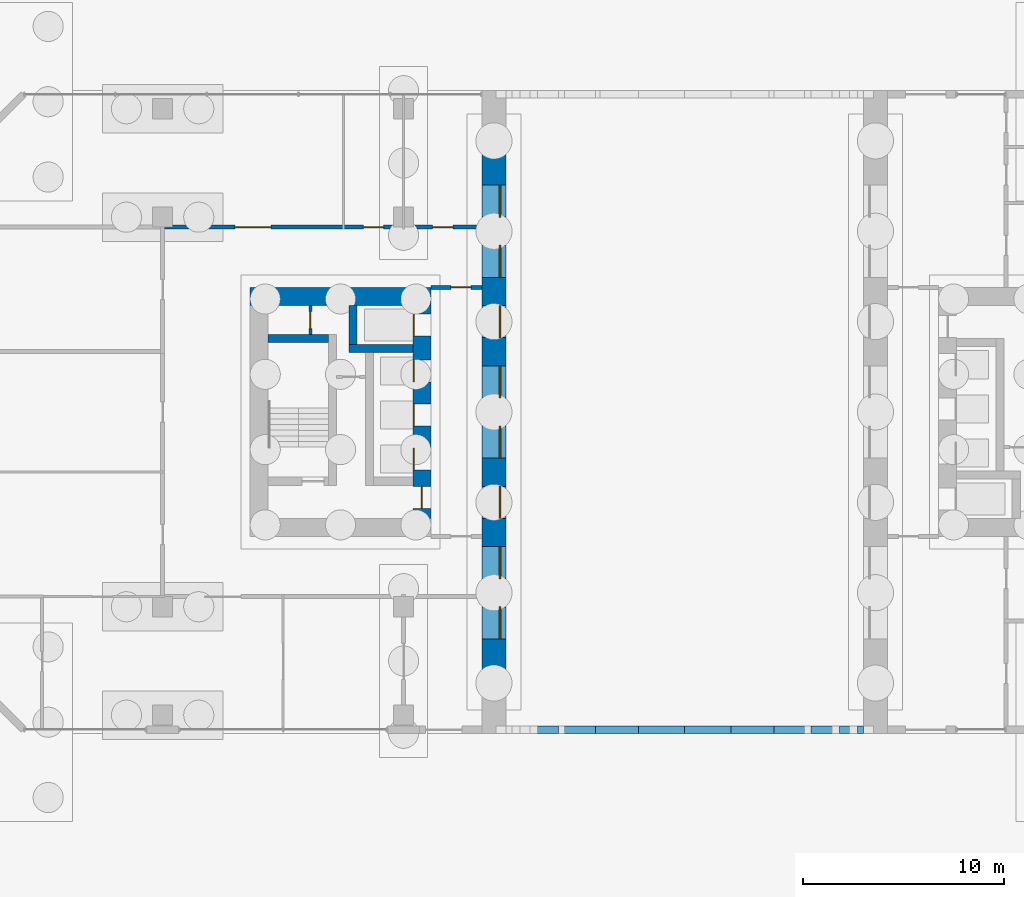
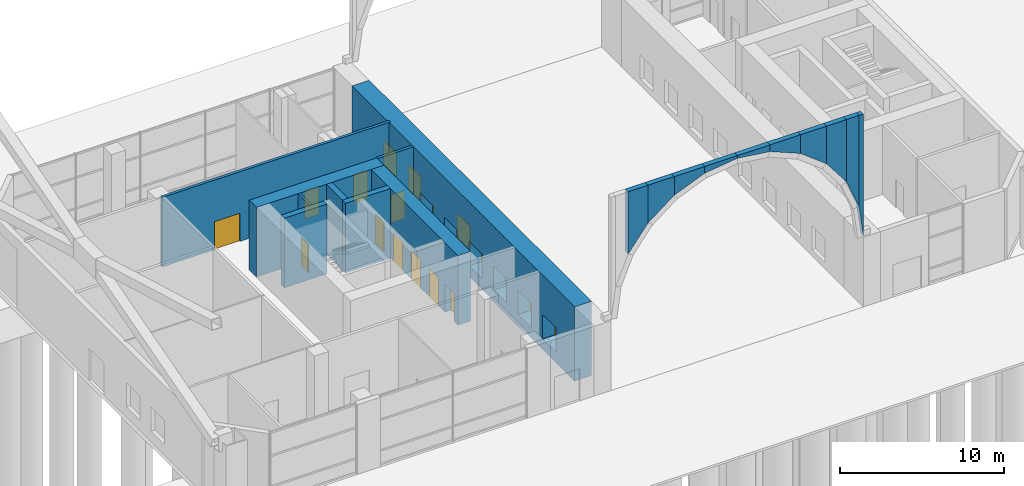
# One storey, part 14 of 26: 19 walls, 10 doors, 8 windows, 18 openings.
"""IFC4 building model written with IfcOpenShell, lengths in metres."""

from ifc_helpers import new_model, si_unit, direction, frame, frame_2d, origin, place, context, subcontext, project, spatial, polyline, rectangle, outline, extrude, material, layer, layer_set, type_object, element, fill, save


model = new_model("IFC4")

# Units and contexts
model_context = context("Model", 3, precision=1e-05, world=origin(), true_north=direction((0.0, 1.0)))
body_context = subcontext(model_context, "Body", "Model", "MODEL_VIEW")
ifc_project = project(units=[si_unit("LENGTHUNIT", "METRE"), si_unit("AREAUNIT", "SQUARE_METRE"), si_unit("VOLUMEUNIT", "CUBIC_METRE"), si_unit("PLANEANGLEUNIT", "RADIAN"), si_unit("MASSUNIT", "GRAM", prefix="KILO")], contexts=[model_context])

# Site, building, storey
site_placement = place(None, origin())
site = spatial("IfcSite", under=ifc_project, at=site_placement, CompositionType="ELEMENT")
building_placement = place(site_placement, origin())
building = spatial("IfcBuilding", under=site, at=building_placement, Name="Tuart Gate Housing", CompositionType="ELEMENT")
storey_placement = place(building_placement, origin())
storey = spatial("IfcBuildingStorey", under=building, at=storey_placement, Name="L00", CompositionType="ELEMENT", Elevation=0.0)

# Walls
ifc_material_1 = material(Name="Brick", Category="masonry")
ifc_layer_1 = layer(ifc_material_1, 0.360107421875)
ifc_layer_set_1 = layer_set([ifc_layer_1], Name="Brick pier and spandrel wall 360")
wall_type_1 = type_object("IfcWallType", Name="Brick pier and spandrel wall 360", PredefinedType="STANDARD", material=ifc_layer_set_1)
wall_1_placement = place(storey_placement, frame((46.29248046875, 54.179931640625, 9.75), z_axis=(0.0, 0.0, 1.0), x_axis=(1.0, 0.0, 0.0)))
element("IfcWall", 1, at=wall_1_placement, inside=storey, type_object=wall_type_1, Name="Arch spandrel A-S", PredefinedType="STANDARD", context=body_context, shape_type="SweptSolid", body=[
    extrude(outline(polyline([(0.0, 0.0), (1.414306640625, 1.84326171875), (1.414306640625, 4.64990234375), (0.0, 4.64990234375), (0.0, 0.0)])), frame((0.0, 0.18017578125, 0.0), z_axis=(0.0, -1.0, 0.0), x_axis=(1.0, 0.0, 0.0)), (0.0, 0.0, 1.0), 0.360107421875),
])
wall_2_placement = place(storey_placement, frame((47.706787109375, 54.179931640625, 11.59326171875), z_axis=(0.0, 0.0, 1.0), x_axis=(1.0, 0.0, 0.0)))
element("IfcWall", 2, at=wall_2_placement, inside=storey, type_object=wall_type_1, Name="Arch spandrel A-S", PredefinedType="STANDARD", context=body_context, shape_type="SweptSolid", body=[
    extrude(outline(polyline([(0.0, 0.0), (1.84326171875, 1.414306640625), (1.84326171875, 2.806640625), (0.0, 2.806640625), (0.0, 0.0)])), frame((0.0, 0.18017578125, 0.0), z_axis=(0.0, -1.0, 0.0), x_axis=(1.0, 0.0, 0.0)), (0.0, 0.0, 1.0), 0.360107421875),
])
wall_3_placement = place(storey_placement, frame((49.550048828125, 54.179931640625, 13.007568359375), z_axis=(0.0, 0.0, 1.0), x_axis=(1.0, 0.0, 0.0)))
element("IfcWall", 3, at=wall_3_placement, inside=storey, type_object=wall_type_1, Name="Arch spandrel A-S", PredefinedType="STANDARD", context=body_context, shape_type="SweptSolid", body=[
    extrude(outline(polyline([(0.0, 0.0), (2.146484375, 0.88916015625), (2.146484375, 1.392333984375), (0.0, 1.392333984375), (0.0, 0.0)])), frame((0.0, 0.18017578125, 0.0), z_axis=(0.0, -1.0, 0.0), x_axis=(1.0, 0.0, 0.0)), (0.0, 0.0, 1.0), 0.360107421875),
])
wall_4_placement = place(storey_placement, frame((51.696533203125, 54.179931640625, 13.896728515625), z_axis=(0.0, 0.0, 1.0), x_axis=(1.0, 0.0, 0.0)))
element("IfcWall", 4, at=wall_4_placement, inside=storey, type_object=wall_type_1, Name="Arch spandrel A-S", PredefinedType="STANDARD", context=body_context, shape_type="SweptSolid", body=[
    extrude(outline(polyline([(0.0, 0.0), (2.303466796875, 0.30322265625), (2.303466796875, 0.503173828125), (0.0, 0.503173828125), (0.0, 0.0)])), frame((0.0, 0.18017578125, 0.0), z_axis=(0.0, -1.0, 0.0), x_axis=(1.0, 0.0, 0.0)), (0.0, 0.0, 1.0), 0.360107421875),
])
wall_5_placement = place(storey_placement, frame((54.0, 54.179931640625, 13.896728515625), z_axis=(0.0, 0.0, 1.0), x_axis=(1.0, 0.0, 0.0)))
element("IfcWall", 5, at=wall_5_placement, inside=storey, type_object=wall_type_1, Name="Arch spandrel A-S", PredefinedType="STANDARD", context=body_context, shape_type="SweptSolid", body=[
    extrude(outline(polyline([(0.0, 0.30322265625), (2.303466796875, 0.0), (2.303466796875, 0.503173828125), (0.0, 0.503173828125), (0.0, 0.30322265625)])), frame((0.0, 0.18017578125, 0.0), z_axis=(0.0, -1.0, 0.0), x_axis=(1.0, 0.0, 0.0)), (0.0, 0.0, 1.0), 0.360107421875),
])
wall_6_placement = place(storey_placement, frame((56.303466796875, 54.179931640625, 13.007568359375), z_axis=(0.0, 0.0, 1.0), x_axis=(1.0, 0.0, 0.0)))
element("IfcWall", 6, at=wall_6_placement, inside=storey, type_object=wall_type_1, Name="Arch spandrel A-S", PredefinedType="STANDARD", context=body_context, shape_type="SweptSolid", body=[
    extrude(outline(polyline([(0.0, 0.88916015625), (2.146484375, 0.0), (2.146484375, 1.392333984375), (0.0, 1.392333984375), (0.0, 0.88916015625)])), frame((0.0, 0.18017578125, 0.0), z_axis=(0.0, -1.0, 0.0), x_axis=(1.0, 0.0, 0.0)), (0.0, 0.0, 1.0), 0.360107421875),
])
wall_7_placement = place(storey_placement, frame((58.449951171875, 54.179931640625, 11.59326171875), z_axis=(0.0, 0.0, 1.0), x_axis=(1.0, 0.0, 0.0)))
element("IfcWall", 7, at=wall_7_placement, inside=storey, type_object=wall_type_1, Name="Arch spandrel A-S", PredefinedType="STANDARD", context=body_context, shape_type="SweptSolid", body=[
    extrude(outline(polyline([(0.0, 1.414306640625), (1.84326171875, 0.0), (1.84326171875, 2.806640625), (0.0, 2.806640625), (0.0, 1.414306640625)])), frame((0.0, 0.18017578125, 0.0), z_axis=(0.0, -1.0, 0.0), x_axis=(1.0, 0.0, 0.0)), (0.0, 0.0, 1.0), 0.360107421875),
])
wall_8_placement = place(storey_placement, frame((60.293212890625, 54.179931640625, 9.75), z_axis=(0.0, 0.0, 1.0), x_axis=(1.0, 0.0, 0.0)))
element("IfcWall", 8, at=wall_8_placement, inside=storey, type_object=wall_type_1, Name="Arch spandrel A-S", PredefinedType="STANDARD", context=body_context, shape_type="SweptSolid", body=[
    extrude(outline(polyline([(0.0, 1.84326171875), (1.414306640625, 0.0), (1.414306640625, 4.64990234375), (0.0, 4.64990234375), (0.0, 1.84326171875)])), frame((0.0, 0.18017578125, 0.0), z_axis=(0.0, -1.0, 0.0), x_axis=(1.0, 0.0, 0.0)), (0.0, 0.0, 1.0), 0.360107421875),
])
wall_9_placement = place(storey_placement, frame((61.70751953125, 54.179931640625, 7.603515625), z_axis=(0.0, 0.0, 1.0), x_axis=(1.0, 0.0, 0.0)))
element("IfcWall", 9, at=wall_9_placement, inside=storey, type_object=wall_type_1, Name="Arch spandrel A-S", PredefinedType="STANDARD", context=body_context, shape_type="SweptSolid", body=[
    extrude(outline(polyline([(0.0, 2.146484375), (0.88916015625, 0.0), (0.88916015625, 6.79638671875), (0.0, 6.79638671875), (0.0, 2.146484375)])), frame((0.0, 0.18017578125, 0.0), z_axis=(0.0, -1.0, 0.0), x_axis=(1.0, 0.0, 0.0)), (0.0, 0.0, 1.0), 0.360107421875),
])
wall_10_placement = place(storey_placement, frame((62.5966796875, 54.179931640625, 5.300048828125), z_axis=(0.0, 0.0, 1.0), x_axis=(1.0, 0.0, 0.0)))
element("IfcWall", 10, at=wall_10_placement, inside=storey, type_object=wall_type_1, Name="Arch spandrel A-S", PredefinedType="STANDARD", context=body_context, shape_type="SweptSolid", body=[
    extrude(outline(polyline([(0.0, 2.303466796875), (0.30322265625, 0.0), (0.30322265625, 9.099853515625), (0.0, 9.099853515625), (0.0, 2.303466796875)])), frame((0.0, 0.18017578125, 0.0), z_axis=(0.0, -1.0, 0.0), x_axis=(1.0, 0.0, 0.0)), (0.0, 0.0, 1.0), 0.360107421875),
])

# Wall, opening, door
ifc_material_2 = material(Name="Plasterboard partition")
ifc_layer_2 = layer(ifc_material_2, 0.14990234375)
ifc_layer_set_2 = layer_set([ifc_layer_2], Name="Core partition 150")
wall_type_2 = type_object("IfcWallType", Name="Core partition 150", PredefinedType="PARTITIONING", material=ifc_layer_set_2)
wall_11_placement = place(storey_placement, frame((35.360107421875, 75.300048828125, 0.0), z_axis=(0.0, 0.0, 1.0), x_axis=(0.0, -1.0, 0.0)))
wall_11 = element("IfcWall", 11, at=wall_11_placement, inside=storey, type_object=wall_type_2, Name="Core partition AK.9", PredefinedType="PARTITIONING", context=body_context, shape_type="SweptSolid", body=[
    extrude(rectangle(XDim=1.449951171875, YDim=0.14990234375, at=frame_2d((0.72509765625, 0.0))), origin(), (0.0, 0.0, 1.0), 5.199951171875),
])
opening_1_placement = place(wall_11_placement, frame((0.300048828125, 0.0, 0.0)))
opening_1 = element("IfcOpeningElement", 12, at=opening_1_placement, cuts=wall_11, Name="Opening D2723", PredefinedType="OPENING", context=body_context, shape_type="SweptSolid", body=[
    extrude(rectangle(XDim=0.85009765625, YDim=2.10009765625, at=frame_2d((0.425048828125, 1.050048828125))), frame((0.0, 0.0849609375, 0.0), z_axis=(0.0, -1.0, 0.0), x_axis=(1.0, 0.0, 0.0)), (0.0, 0.0, 1.0), 0.169921875),
])
ifc_material_3 = material(Name="Steel fire door", Category="steel")
door_type_1 = type_object("IfcDoorType", Name="Service door 850 x 2100", OperationType="SINGLE_SWING_LEFT", PredefinedType="DOOR", material=ifc_material_3)
door_1_placement = place(opening_1_placement, origin())
door_1 = element("IfcDoor", 13, at=door_1_placement, inside=storey, type_object=door_type_1, Name="Service room door AK.E2", OperationType="SINGLE_SWING_LEFT", OverallHeight=2.10009765625, OverallWidth=0.85009765625, PredefinedType="DOOR", context=body_context, shape_type="SweptSolid", body=[
    extrude(rectangle(XDim=0.85009765625, YDim=2.10009765625, at=frame_2d((0.425048828125, 1.050048828125))), frame((0.0, 0.02490234375, 0.0), z_axis=(0.0, -1.0, 0.0), x_axis=(1.0, 0.0, 0.0)), (0.0, 0.0, 1.0), 0.050048828125),
])
fill(opening_1, door_1)

# Walls
ifc_material_4 = material(Name="Concrete C60", Category="concrete")
ifc_layer_3 = layer(ifc_material_4, 0.39990234375)
ifc_layer_set_3 = layer_set([ifc_layer_3], Name="Core wall 400 C60")
wall_type_3 = type_object("IfcWallType", Name="Core wall 400 C60", PredefinedType="SHEAR", material=ifc_layer_set_3)
wall_12_placement = place(storey_placement, frame((36.260009765625, 73.64990234375, 0.0), z_axis=(0.0, 0.0, 1.0), x_axis=(-1.0, 0.0, 0.0)))
element("IfcWall", 14, at=wall_12_placement, inside=storey, type_object=wall_type_3, Name="Core wall AK.1", PredefinedType="SHEAR", context=body_context, shape_type="SweptSolid", body=[
    extrude(rectangle(XDim=3.0, YDim=0.39990234375, at=frame_2d((1.5, 0.0))), origin(), (0.0, 0.0, 1.0), 5.199951171875),
])
wall_13_placement = place(storey_placement, frame((40.4599609375, 73.14990234375, 0.0), z_axis=(0.0, 0.0, 1.0), x_axis=(-1.0, 0.0, 0.0)))
element("IfcWall", 15, at=wall_13_placement, inside=storey, type_object=wall_type_3, Name="Core wall AK.2", PredefinedType="SHEAR", context=body_context, shape_type="SweptSolid", body=[
    extrude(rectangle(XDim=3.169921875, YDim=0.39990234375, at=frame_2d((1.5849609375, 0.0))), origin(), (0.0, 0.0, 1.0), 5.199951171875),
])
wall_14_placement = place(storey_placement, frame((37.489990234375, 75.300048828125, 0.0), z_axis=(0.0, 0.0, 1.0), x_axis=(0.0, -1.0, 0.0)))
element("IfcWall", 16, at=wall_14_placement, inside=storey, type_object=wall_type_3, Name="Core wall AK.7", PredefinedType="SHEAR", context=body_context, shape_type="SweptSolid", body=[
    extrude(rectangle(XDim=1.949951171875, YDim=0.39990234375, at=frame_2d((0.97509765625, 0.0))), origin(), (0.0, 0.0, 1.0), 5.199951171875),
])

# Wall, openings, doors
ifc_material_5 = material(Name="Concrete C60", Category="concrete")
ifc_layer_4 = layer(ifc_material_5, 0.89990234375)
ifc_layer_set_4 = layer_set([ifc_layer_4], Name="Core wall 900 C60")
wall_type_4 = type_object("IfcWallType", Name="Core wall 900 C60", PredefinedType="SHEAR", material=ifc_layer_set_4)
wall_15_placement = place(storey_placement, frame((40.909912109375, 75.300048828125, 0.0), z_axis=(0.0, 0.0, 1.0), x_axis=(0.0, -1.0, 0.0)))
wall_15 = element("IfcWall", 17, at=wall_15_placement, inside=storey, type_object=wall_type_4, Name="Core wall AK front", PredefinedType="SHEAR", context=body_context, shape_type="SweptSolid", body=[
    extrude(rectangle(XDim=10.60009765625, YDim=0.89990234375, at=frame_2d((5.300048828125, 0.0))), origin(), (0.0, 0.0, 1.0), 5.199951171875),
])
opening_2_placement = place(wall_15_placement, frame((0.425048828125, 0.0, 0.0)))
opening_2 = element("IfcOpeningElement", 18, at=opening_2_placement, cuts=wall_15, Name="Opening LD-FA2", PredefinedType="OPENING", context=body_context, shape_type="SweptSolid", body=[
    extrude(rectangle(XDim=1.10009765625, YDim=2.10009765625, at=frame_2d((0.550048828125, 1.050048828125))), frame((0.0, 0.4599609375, 0.0), z_axis=(0.0, -1.0, 0.0), x_axis=(1.0, 0.0, 0.0)), (0.0, 0.0, 1.0), 0.919921875),
])
opening_3_placement = place(wall_15_placement, frame((2.699951171875, 0.0, 0.0)))
opening_3 = element("IfcOpeningElement", 19, at=opening_3_placement, cuts=wall_15, Name="Opening LD-LA4", PredefinedType="OPENING", context=body_context, shape_type="SweptSolid", body=[
    extrude(rectangle(XDim=1.10009765625, YDim=2.10009765625, at=frame_2d((0.550048828125, 1.050048828125))), frame((0.0, 0.4599609375, 0.0), z_axis=(0.0, -1.0, 0.0), x_axis=(1.0, 0.0, 0.0)), (0.0, 0.0, 1.0), 0.919921875),
])
opening_4_placement = place(wall_15_placement, frame((4.89990234375, 0.0, 0.0)))
opening_4 = element("IfcOpeningElement", 20, at=opening_4_placement, cuts=wall_15, Name="Opening LD-LA5", PredefinedType="OPENING", context=body_context, shape_type="SweptSolid", body=[
    extrude(rectangle(XDim=1.10009765625, YDim=2.10009765625, at=frame_2d((0.550048828125, 1.050048828125))), frame((0.0, 0.4599609375, 0.0), z_axis=(0.0, -1.0, 0.0), x_axis=(1.0, 0.0, 0.0)), (0.0, 0.0, 1.0), 0.919921875),
])
opening_5_placement = place(wall_15_placement, frame((7.10009765625, 0.0, 0.0)))
opening_5 = element("IfcOpeningElement", 21, at=opening_5_placement, cuts=wall_15, Name="Opening LD-LA6", PredefinedType="OPENING", context=body_context, shape_type="SweptSolid", body=[
    extrude(rectangle(XDim=1.10009765625, YDim=2.10009765625, at=frame_2d((0.550048828125, 1.050048828125))), frame((0.0, 0.4599609375, 0.0), z_axis=(0.0, -1.0, 0.0), x_axis=(1.0, 0.0, 0.0)), (0.0, 0.0, 1.0), 0.919921875),
])
opening_6_placement = place(wall_15_placement, frame((9.0, 0.0, 0.0)))
opening_6 = element("IfcOpeningElement", 22, at=opening_6_placement, cuts=wall_15, Name="Opening D2728", PredefinedType="OPENING", context=body_context, shape_type="SweptSolid", body=[
    extrude(rectangle(XDim=1.10009765625, YDim=2.10009765625, at=frame_2d((0.550048828125, 1.050048828125))), frame((0.0, 0.4599609375, 0.0), z_axis=(0.0, -1.0, 0.0), x_axis=(1.0, 0.0, 0.0)), (0.0, 0.0, 1.0), 0.919921875),
])
ifc_material_6 = material(Name="Stainless steel", Category="steel")
door_type_2 = type_object("IfcDoorType", Name="Landing door 1100 x 2100", OperationType="DOUBLE_DOOR_SLIDING", PredefinedType="DOOR", material=ifc_material_6)
door_2_placement = place(opening_2_placement, origin())
door_2 = element("IfcDoor", 23, at=door_2_placement, inside=storey, type_object=door_type_2, Name="Lift landing door FA2", OperationType="DOUBLE_DOOR_SLIDING", OverallHeight=2.10009765625, OverallWidth=1.10009765625, PredefinedType="DOOR", context=body_context, shape_type="SweptSolid", body=[
    extrude(rectangle(XDim=1.10009765625, YDim=2.10009765625, at=frame_2d((0.550048828125, 1.050048828125))), frame((0.0, -0.384765625, 0.0), z_axis=(0.0, -1.0, 0.0), x_axis=(1.0, 0.0, 0.0)), (0.0, 0.0, 1.0), 0.050048828125),
])
fill(opening_2, door_2)
door_3_placement = place(opening_3_placement, origin())
door_3 = element("IfcDoor", 24, at=door_3_placement, inside=storey, type_object=door_type_2, Name="Lift landing door LA4", OperationType="DOUBLE_DOOR_SLIDING", OverallHeight=2.10009765625, OverallWidth=1.10009765625, PredefinedType="DOOR", context=body_context, shape_type="SweptSolid", body=[
    extrude(rectangle(XDim=1.10009765625, YDim=2.10009765625, at=frame_2d((0.550048828125, 1.050048828125))), frame((0.0, -0.384765625, 0.0), z_axis=(0.0, -1.0, 0.0), x_axis=(1.0, 0.0, 0.0)), (0.0, 0.0, 1.0), 0.050048828125),
])
fill(opening_3, door_3)
door_4_placement = place(opening_4_placement, origin())
door_4 = element("IfcDoor", 25, at=door_4_placement, inside=storey, type_object=door_type_2, Name="Lift landing door LA5", OperationType="DOUBLE_DOOR_SLIDING", OverallHeight=2.10009765625, OverallWidth=1.10009765625, PredefinedType="DOOR", context=body_context, shape_type="SweptSolid", body=[
    extrude(rectangle(XDim=1.10009765625, YDim=2.10009765625, at=frame_2d((0.550048828125, 1.050048828125))), frame((0.0, -0.384765625, 0.0), z_axis=(0.0, -1.0, 0.0), x_axis=(1.0, 0.0, 0.0)), (0.0, 0.0, 1.0), 0.050048828125),
])
fill(opening_4, door_4)
door_5_placement = place(opening_5_placement, origin())
door_5 = element("IfcDoor", 26, at=door_5_placement, inside=storey, type_object=door_type_2, Name="Lift landing door LA6", OperationType="DOUBLE_DOOR_SLIDING", OverallHeight=2.10009765625, OverallWidth=1.10009765625, PredefinedType="DOOR", context=body_context, shape_type="SweptSolid", body=[
    extrude(rectangle(XDim=1.10009765625, YDim=2.10009765625, at=frame_2d((0.550048828125, 1.050048828125))), frame((0.0, -0.384765625, 0.0), z_axis=(0.0, -1.0, 0.0), x_axis=(1.0, 0.0, 0.0)), (0.0, 0.0, 1.0), 0.050048828125),
])
fill(opening_5, door_5)
ifc_material_7 = material(Name="Steel fire door", Category="steel")
door_type_3 = type_object("IfcDoorType", Name="Lobby door 1100 x 2100 RH", OperationType="SINGLE_SWING_RIGHT", PredefinedType="DOOR", material=ifc_material_7)
door_6_placement = place(opening_6_placement, frame((1.10009765625, 0.0, 0.0), z_axis=(0.0, 0.0, 1.0), x_axis=(-1.0, 0.0, 0.0)))
door_6 = element("IfcDoor", 27, at=door_6_placement, inside=storey, type_object=door_type_3, Name="Lobby entry door AK.EN", OperationType="SINGLE_SWING_RIGHT", OverallHeight=2.10009765625, OverallWidth=1.10009765625, PredefinedType="DOOR", context=body_context, shape_type="SweptSolid", body=[
    extrude(rectangle(XDim=1.10009765625, YDim=2.10009765625, at=frame_2d((0.550048828125, 1.050048828125))), frame((0.0, 0.025146484375, 0.0), z_axis=(0.0, -1.0, 0.0), x_axis=(1.0, 0.0, 0.0)), (0.0, 0.0, 1.0), 0.050048828125),
])
fill(opening_6, door_6)

# Wall
wall_16_placement = place(storey_placement, frame((41.360107421875, 75.75, 0.0), z_axis=(0.0, 0.0, 1.0), x_axis=(-1.0, 0.0, 0.0)))
element("IfcWall", 28, at=wall_16_placement, inside=storey, type_object=wall_type_4, Name="Core wall AK south", PredefinedType="SHEAR", context=body_context, shape_type="SweptSolid", body=[
    extrude(rectangle(XDim=9.0, YDim=0.89990234375, at=frame_2d((4.5, 0.0))), origin(), (0.0, 0.0, 1.0), 5.199951171875),
])

# Wall, openings, doors
ifc_material_8 = material(Name="Concrete masonry 15 MPa", Category="masonry")
ifc_layer_5 = layer(ifc_material_8, 0.199951171875)
ifc_layer_set_5 = layer_set([ifc_layer_5], Name="Corridor wall masonry 200")
wall_type_5 = type_object("IfcWallType", Name="Corridor wall masonry 200", PredefinedType="PARTITIONING", material=ifc_layer_set_5)
wall_17_placement = place(storey_placement, frame((27.89794921875, 79.199951171875, 0.0), z_axis=(0.0, 0.0, 1.0), x_axis=(1.0, 0.0, 0.0)))
wall_17 = element("IfcWall", 29, at=wall_17_placement, inside=storey, type_object=wall_type_5, Name="Corridor wall masonry 200", PredefinedType="PARTITIONING", context=body_context, shape_type="SweptSolid", body=[
    extrude(rectangle(XDim=16.1220703125, YDim=0.199951171875, at=frame_2d((8.06103515625, 0.0))), origin(), (0.0, 0.0, 1.0), 5.199951171875),
])
opening_7_placement = place(wall_17_placement, frame((3.700927734375, 0.0, 0.0)))
opening_7 = element("IfcOpeningElement", 30, at=opening_7_placement, cuts=wall_17, Name="Opening D2717", PredefinedType="OPENING", context=body_context, shape_type="SweptSolid", body=[
    extrude(rectangle(XDim=1.800048828125, YDim=2.10009765625, at=frame_2d((0.89990234375, 1.050048828125))), frame((0.0, 0.10986328125, 0.0), z_axis=(0.0, -1.0, 0.0), x_axis=(1.0, 0.0, 0.0)), (0.0, 0.0, 1.0), 0.219970703125),
])
opening_8_placement = place(wall_17_placement, frame((10.10205078125, 0.0, 0.0)))
opening_8 = element("IfcOpeningElement", 31, at=opening_8_placement, cuts=wall_17, Name="Opening D2718", PredefinedType="OPENING", context=body_context, shape_type="SweptSolid", body=[
    extrude(rectangle(XDim=1.0, YDim=2.10009765625, at=frame_2d((0.5, 1.050048828125))), frame((0.0, 0.10986328125, 0.0), z_axis=(0.0, -1.0, 0.0), x_axis=(1.0, 0.0, 0.0)), (0.0, 0.0, 1.0), 0.219970703125),
])
opening_9_placement = place(wall_17_placement, frame((13.552001953125, 0.0, 0.0)))
opening_9 = element("IfcOpeningElement", 32, at=opening_9_placement, cuts=wall_17, Name="Opening D2719", PredefinedType="OPENING", context=body_context, shape_type="SweptSolid", body=[
    extrude(rectangle(XDim=1.0, YDim=2.10009765625, at=frame_2d((0.5, 1.050048828125))), frame((0.0, 0.10986328125, 0.0), z_axis=(0.0, -1.0, 0.0), x_axis=(1.0, 0.0, 0.0)), (0.0, 0.0, 1.0), 0.219970703125),
])
ifc_material_9 = material(Name="Timber door leaf in steel frame", Category="steel")
door_type_4 = type_object("IfcDoorType", Name="Double door 1800", OperationType="DOUBLE_DOOR_SINGLE_SWING", PredefinedType="DOOR", material=ifc_material_9)
door_7_placement = place(opening_7_placement, origin())
door_7 = element("IfcDoor", 33, at=door_7_placement, inside=storey, type_object=door_type_4, Name="Double door 1800", OperationType="DOUBLE_DOOR_SINGLE_SWING", OverallHeight=2.10009765625, OverallWidth=1.800048828125, PredefinedType="DOOR", context=body_context, shape_type="SweptSolid", body=[
    extrude(rectangle(XDim=1.800048828125, YDim=2.10009765625, at=frame_2d((0.89990234375, 1.050048828125))), frame((0.0, 0.02490234375, 0.0), z_axis=(0.0, -1.0, 0.0), x_axis=(1.0, 0.0, 0.0)), (0.0, 0.0, 1.0), 0.050048828125),
])
fill(opening_7, door_7)
ifc_material_10 = material(Name="Timber door leaf in steel frame", Category="steel")
door_type_5 = type_object("IfcDoorType", Name="Fire door 1000", OperationType="SINGLE_SWING_LEFT", PredefinedType="DOOR", material=ifc_material_10)
door_8_placement = place(opening_8_placement, origin())
door_8 = element("IfcDoor", 34, at=door_8_placement, inside=storey, type_object=door_type_5, Name="Fire door 1000", OperationType="SINGLE_SWING_LEFT", OverallHeight=2.10009765625, OverallWidth=1.0, PredefinedType="DOOR", context=body_context, shape_type="SweptSolid", body=[
    extrude(rectangle(XDim=1.0, YDim=2.10009765625, at=frame_2d((0.5, 1.050048828125))), frame((0.0, 0.02490234375, 0.0), z_axis=(0.0, -1.0, 0.0), x_axis=(1.0, 0.0, 0.0)), (0.0, 0.0, 1.0), 0.050048828125),
])
fill(opening_8, door_8)
door_9_placement = place(opening_9_placement, origin())
door_9 = element("IfcDoor", 35, at=door_9_placement, inside=storey, type_object=door_type_5, Name="Fire door 1000", OperationType="SINGLE_SWING_LEFT", OverallHeight=2.10009765625, OverallWidth=1.0, PredefinedType="DOOR", context=body_context, shape_type="SweptSolid", body=[
    extrude(rectangle(XDim=1.0, YDim=2.10009765625, at=frame_2d((0.5, 1.050048828125))), frame((0.0, 0.02490234375, 0.0), z_axis=(0.0, -1.0, 0.0), x_axis=(1.0, 0.0, 0.0)), (0.0, 0.0, 1.0), 0.050048828125),
])
fill(opening_9, door_9)

# Wall, opening, door
ifc_material_11 = material(Name="Concrete masonry 15 MPa", Category="masonry")
ifc_layer_6 = layer(ifc_material_11, 0.199951171875)
ifc_layer_set_6 = layer_set([ifc_layer_6], Name="Enclosure wall masonry 200")
wall_type_6 = type_object("IfcWallType", Name="Enclosure wall masonry 200", PredefinedType="PARTITIONING", material=ifc_layer_set_6)
wall_18_placement = place(storey_placement, frame((41.360107421875, 76.199951171875, 0.0), z_axis=(0.0, 0.0, 1.0), x_axis=(1.0, 0.0, 0.0)))
wall_18 = element("IfcWall", 36, at=wall_18_placement, inside=storey, type_object=wall_type_6, Name="Enclosure wall masonry 200", PredefinedType="PARTITIONING", context=body_context, shape_type="SweptSolid", body=[
    extrude(rectangle(XDim=2.539794921875, YDim=0.199951171875, at=frame_2d((1.27001953125, 0.0))), origin(), (0.0, 0.0, 1.0), 5.199951171875),
])
opening_10_placement = place(wall_18_placement, frame((1.0, 0.0, 0.0)))
opening_10 = element("IfcOpeningElement", 37, at=opening_10_placement, cuts=wall_18, Name="Opening D2720", PredefinedType="OPENING", context=body_context, shape_type="SweptSolid", body=[
    extrude(rectangle(XDim=1.0, YDim=2.10009765625, at=frame_2d((0.5, 1.050048828125))), frame((0.0, 0.10986328125, 0.0), z_axis=(0.0, -1.0, 0.0), x_axis=(1.0, 0.0, 0.0)), (0.0, 0.0, 1.0), 0.219970703125),
])
ifc_material_12 = material(Name="Timber door leaf in steel frame", Category="steel")
door_type_6 = type_object("IfcDoorType", Name="Lobby door 1000 RH", OperationType="SINGLE_SWING_RIGHT", PredefinedType="DOOR", material=ifc_material_12)
door_10_placement = place(opening_10_placement, origin())
door_10 = element("IfcDoor", 38, at=door_10_placement, inside=storey, type_object=door_type_6, Name="Lobby door 1000", OperationType="SINGLE_SWING_RIGHT", OverallHeight=2.10009765625, OverallWidth=1.0, PredefinedType="DOOR", context=body_context, shape_type="SweptSolid", body=[
    extrude(rectangle(XDim=1.0, YDim=2.10009765625, at=frame_2d((0.5, 1.050048828125))), frame((0.0, 0.02490234375, 0.0), z_axis=(0.0, -1.0, 0.0), x_axis=(1.0, 0.0, 0.0)), (0.0, 0.0, 1.0), 0.050048828125),
])
fill(opening_10, door_10)

# Wall, openings, windows
ifc_material_13 = material(Name="Concrete C60", Category="concrete")
ifc_layer_7 = layer(ifc_material_13, 1.199951171875)
ifc_layer_set_7 = layer_set([ifc_layer_7], Name="RC wall 1200 C60")
wall_type_7 = type_object("IfcWallType", Name="RC wall 1200 C60", PredefinedType="SHEAR", material=ifc_layer_set_7)
wall_19_placement = place(storey_placement, frame((44.5, 56.39990234375, -0.35009765625), z_axis=(0.0, 0.0, 1.0), x_axis=(0.0, 1.0, 0.0)))
wall_19 = element("IfcWall", 39, at=wall_19_placement, inside=storey, type_object=wall_type_7, Name="Pier wall AW L00", PredefinedType="SHEAR", context=body_context, shape_type="SweptSolid", body=[
    extrude(rectangle(XDim=27.2001953125, YDim=1.199951171875, at=frame_2d((13.60009765625, 0.0))), origin(), (0.0, 0.0, 1.0), 5.550048828125),
])
opening_11_placement = place(wall_19_placement, frame((2.300048828125, 0.0, 0.800048828125)))
opening_11 = element("IfcOpeningElement", 40, at=opening_11_placement, cuts=wall_19, Name="Opening W1", PredefinedType="OPENING", context=body_context, shape_type="SweptSolid", body=[
    extrude(rectangle(XDim=1.60009765625, YDim=1.800048828125, at=frame_2d((0.800048828125, 0.89990234375))), frame((0.0, 0.60986328125, 0.0), z_axis=(0.0, -1.0, 0.0), x_axis=(1.0, 0.0, 0.0)), (0.0, 0.0, 1.0), 1.219970703125),
])
opening_12_placement = place(wall_19_placement, frame((5.300048828125, 0.0, 0.800048828125)))
opening_12 = element("IfcOpeningElement", 41, at=opening_12_placement, cuts=wall_19, Name="Opening W1", PredefinedType="OPENING", context=body_context, shape_type="SweptSolid", body=[
    extrude(rectangle(XDim=1.60009765625, YDim=1.800048828125, at=frame_2d((0.800048828125, 0.89990234375))), frame((0.0, 0.60986328125, 0.0), z_axis=(0.0, -1.0, 0.0), x_axis=(1.0, 0.0, 0.0)), (0.0, 0.0, 1.0), 1.219970703125),
])
opening_13_placement = place(wall_19_placement, frame((8.300048828125, 0.0, 0.800048828125)))
opening_13 = element("IfcOpeningElement", 42, at=opening_13_placement, cuts=wall_19, Name="Opening W1", PredefinedType="OPENING", context=body_context, shape_type="SweptSolid", body=[
    extrude(rectangle(XDim=1.60009765625, YDim=1.800048828125, at=frame_2d((0.800048828125, 0.89990234375))), frame((0.0, 0.60986328125, 0.0), z_axis=(0.0, -1.0, 0.0), x_axis=(1.0, 0.0, 0.0)), (0.0, 0.0, 1.0), 1.219970703125),
])
opening_14_placement = place(wall_19_placement, frame((11.300048828125, 0.0, 0.800048828125)))
opening_14 = element("IfcOpeningElement", 43, at=opening_14_placement, cuts=wall_19, Name="Opening W1", PredefinedType="OPENING", context=body_context, shape_type="SweptSolid", body=[
    extrude(rectangle(XDim=1.60009765625, YDim=1.800048828125, at=frame_2d((0.800048828125, 0.89990234375))), frame((0.0, 0.60986328125, 0.0), z_axis=(0.0, -1.0, 0.0), x_axis=(1.0, 0.0, 0.0)), (0.0, 0.0, 1.0), 1.219970703125),
])
opening_15_placement = place(wall_19_placement, frame((14.300048828125, 0.0, 0.800048828125)))
opening_15 = element("IfcOpeningElement", 44, at=opening_15_placement, cuts=wall_19, Name="Opening W1", PredefinedType="OPENING", context=body_context, shape_type="SweptSolid", body=[
    extrude(rectangle(XDim=1.60009765625, YDim=1.800048828125, at=frame_2d((0.800048828125, 0.89990234375))), frame((0.0, 0.60986328125, 0.0), z_axis=(0.0, -1.0, 0.0), x_axis=(1.0, 0.0, 0.0)), (0.0, 0.0, 1.0), 1.219970703125),
])
opening_16_placement = place(wall_19_placement, frame((17.300048828125, 0.0, 0.800048828125)))
opening_16 = element("IfcOpeningElement", 45, at=opening_16_placement, cuts=wall_19, Name="Opening W1", PredefinedType="OPENING", context=body_context, shape_type="SweptSolid", body=[
    extrude(rectangle(XDim=1.60009765625, YDim=1.800048828125, at=frame_2d((0.800048828125, 0.89990234375))), frame((0.0, 0.60986328125, 0.0), z_axis=(0.0, -1.0, 0.0), x_axis=(1.0, 0.0, 0.0)), (0.0, 0.0, 1.0), 1.219970703125),
])
opening_17_placement = place(wall_19_placement, frame((20.300048828125, 0.0, 0.800048828125)))
opening_17 = element("IfcOpeningElement", 46, at=opening_17_placement, cuts=wall_19, Name="Opening W1", PredefinedType="OPENING", context=body_context, shape_type="SweptSolid", body=[
    extrude(rectangle(XDim=1.60009765625, YDim=1.800048828125, at=frame_2d((0.800048828125, 0.89990234375))), frame((0.0, 0.60986328125, 0.0), z_axis=(0.0, -1.0, 0.0), x_axis=(1.0, 0.0, 0.0)), (0.0, 0.0, 1.0), 1.219970703125),
])
opening_18_placement = place(wall_19_placement, frame((23.300048828125, 0.0, 0.800048828125)))
opening_18 = element("IfcOpeningElement", 47, at=opening_18_placement, cuts=wall_19, Name="Opening W1", PredefinedType="OPENING", context=body_context, shape_type="SweptSolid", body=[
    extrude(rectangle(XDim=1.60009765625, YDim=1.800048828125, at=frame_2d((0.800048828125, 0.89990234375))), frame((0.0, 0.60986328125, 0.0), z_axis=(0.0, -1.0, 0.0), x_axis=(1.0, 0.0, 0.0)), (0.0, 0.0, 1.0), 1.219970703125),
])
ifc_material_14 = material(Name="Aluminium frame with clear glass", Category="aluminium")
window_type = type_object("IfcWindowType", Name="Punched window 1600 x 1800", PartitioningType="SINGLE_PANEL", PredefinedType="WINDOW", material=ifc_material_14)
window_1_placement = place(opening_11_placement, origin())
window_1 = element("IfcWindow", 48, at=window_1_placement, inside=storey, type_object=window_type, Name="Window W1", OverallHeight=1.800048828125, OverallWidth=1.60009765625, PartitioningType="SINGLE_PANEL", PredefinedType="WINDOW", context=body_context, shape_type="SweptSolid", body=[
    extrude(rectangle(XDim=1.60009765625, YDim=1.800048828125, at=frame_2d((0.800048828125, 0.89990234375))), frame((0.0, -0.27001953125, 0.0), z_axis=(0.0, -1.0, 0.0), x_axis=(1.0, 0.0, 0.0)), (0.0, 0.0, 1.0), 0.06005859375),
])
fill(opening_11, window_1)
window_2_placement = place(opening_12_placement, origin())
window_2 = element("IfcWindow", 49, at=window_2_placement, inside=storey, type_object=window_type, Name="Window W1", OverallHeight=1.800048828125, OverallWidth=1.60009765625, PartitioningType="SINGLE_PANEL", PredefinedType="WINDOW", context=body_context, shape_type="SweptSolid", body=[
    extrude(rectangle(XDim=1.60009765625, YDim=1.800048828125, at=frame_2d((0.800048828125, 0.89990234375))), frame((0.0, -0.27001953125, 0.0), z_axis=(0.0, -1.0, 0.0), x_axis=(1.0, 0.0, 0.0)), (0.0, 0.0, 1.0), 0.06005859375),
])
fill(opening_12, window_2)
window_3_placement = place(opening_13_placement, origin())
window_3 = element("IfcWindow", 50, at=window_3_placement, inside=storey, type_object=window_type, Name="Window W1", OverallHeight=1.800048828125, OverallWidth=1.60009765625, PartitioningType="SINGLE_PANEL", PredefinedType="WINDOW", context=body_context, shape_type="SweptSolid", body=[
    extrude(rectangle(XDim=1.60009765625, YDim=1.800048828125, at=frame_2d((0.800048828125, 0.89990234375))), frame((0.0, -0.27001953125, 0.0), z_axis=(0.0, -1.0, 0.0), x_axis=(1.0, 0.0, 0.0)), (0.0, 0.0, 1.0), 0.06005859375),
])
fill(opening_13, window_3)
window_4_placement = place(opening_14_placement, origin())
window_4 = element("IfcWindow", 51, at=window_4_placement, inside=storey, type_object=window_type, Name="Window W1", OverallHeight=1.800048828125, OverallWidth=1.60009765625, PartitioningType="SINGLE_PANEL", PredefinedType="WINDOW", context=body_context, shape_type="SweptSolid", body=[
    extrude(rectangle(XDim=1.60009765625, YDim=1.800048828125, at=frame_2d((0.800048828125, 0.89990234375))), frame((0.0, -0.27001953125, 0.0), z_axis=(0.0, -1.0, 0.0), x_axis=(1.0, 0.0, 0.0)), (0.0, 0.0, 1.0), 0.06005859375),
])
fill(opening_14, window_4)
window_5_placement = place(opening_15_placement, origin())
window_5 = element("IfcWindow", 52, at=window_5_placement, inside=storey, type_object=window_type, Name="Window W1", OverallHeight=1.800048828125, OverallWidth=1.60009765625, PartitioningType="SINGLE_PANEL", PredefinedType="WINDOW", context=body_context, shape_type="SweptSolid", body=[
    extrude(rectangle(XDim=1.60009765625, YDim=1.800048828125, at=frame_2d((0.800048828125, 0.89990234375))), frame((0.0, -0.27001953125, 0.0), z_axis=(0.0, -1.0, 0.0), x_axis=(1.0, 0.0, 0.0)), (0.0, 0.0, 1.0), 0.06005859375),
])
fill(opening_15, window_5)
window_6_placement = place(opening_16_placement, origin())
window_6 = element("IfcWindow", 53, at=window_6_placement, inside=storey, type_object=window_type, Name="Window W1", OverallHeight=1.800048828125, OverallWidth=1.60009765625, PartitioningType="SINGLE_PANEL", PredefinedType="WINDOW", context=body_context, shape_type="SweptSolid", body=[
    extrude(rectangle(XDim=1.60009765625, YDim=1.800048828125, at=frame_2d((0.800048828125, 0.89990234375))), frame((0.0, -0.27001953125, 0.0), z_axis=(0.0, -1.0, 0.0), x_axis=(1.0, 0.0, 0.0)), (0.0, 0.0, 1.0), 0.06005859375),
])
fill(opening_16, window_6)
window_7_placement = place(opening_17_placement, origin())
window_7 = element("IfcWindow", 54, at=window_7_placement, inside=storey, type_object=window_type, Name="Window W1", OverallHeight=1.800048828125, OverallWidth=1.60009765625, PartitioningType="SINGLE_PANEL", PredefinedType="WINDOW", context=body_context, shape_type="SweptSolid", body=[
    extrude(rectangle(XDim=1.60009765625, YDim=1.800048828125, at=frame_2d((0.800048828125, 0.89990234375))), frame((0.0, -0.27001953125, 0.0), z_axis=(0.0, -1.0, 0.0), x_axis=(1.0, 0.0, 0.0)), (0.0, 0.0, 1.0), 0.06005859375),
])
fill(opening_17, window_7)
window_8_placement = place(opening_18_placement, origin())
window_8 = element("IfcWindow", 55, at=window_8_placement, inside=storey, type_object=window_type, Name="Window W1", OverallHeight=1.800048828125, OverallWidth=1.60009765625, PartitioningType="SINGLE_PANEL", PredefinedType="WINDOW", context=body_context, shape_type="SweptSolid", body=[
    extrude(rectangle(XDim=1.60009765625, YDim=1.800048828125, at=frame_2d((0.800048828125, 0.89990234375))), frame((0.0, -0.27001953125, 0.0), z_axis=(0.0, -1.0, 0.0), x_axis=(1.0, 0.0, 0.0)), (0.0, 0.0, 1.0), 0.06005859375),
])
fill(opening_18, window_8)

save(model, "model.ifc")
